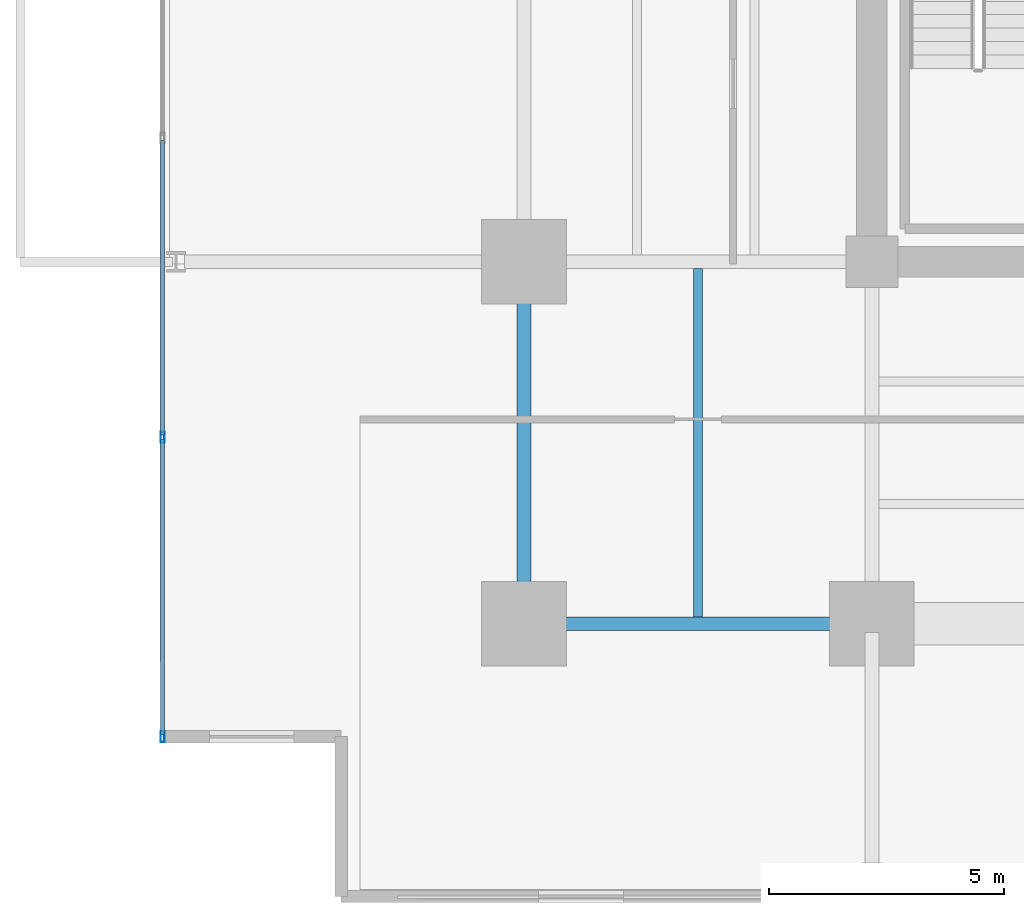
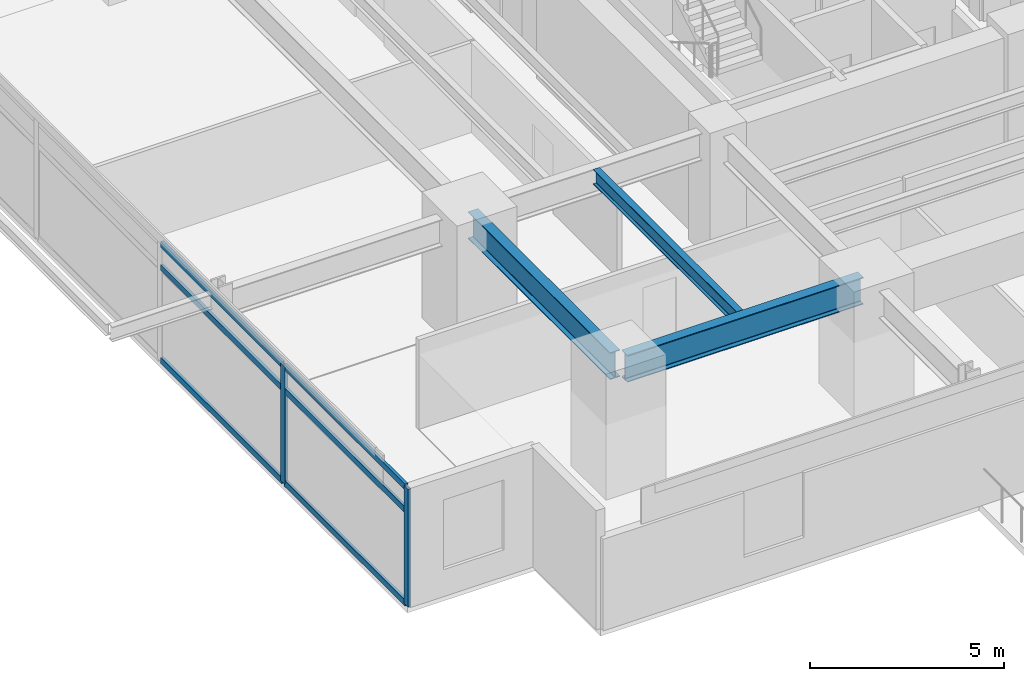
# One storey, part 2 of 22: 8 members, 3 beams, 1 element without a shape of its own.
"""IFC4 building model written with IfcOpenShell, lengths in metres."""

from ifc_helpers import new_model, si_unit, direction, frame, origin, origin_2d, place, context, subcontext, project, spatial, hollow_rectangle, i_section, extrude, material, material_profile, profile_set, type_object, element, aggregate, save


model = new_model("IFC4")

# Units and contexts
model_context = context("Model", 3, precision=1e-05, world=origin(), true_north=direction((0.0, 1.0)))
body_context = subcontext(model_context, "Body", "Model", "MODEL_VIEW")
ifc_project = project(units=[si_unit("LENGTHUNIT", "METRE"), si_unit("AREAUNIT", "SQUARE_METRE"), si_unit("VOLUMEUNIT", "CUBIC_METRE"), si_unit("PLANEANGLEUNIT", "RADIAN"), si_unit("MASSUNIT", "GRAM", prefix="KILO")], contexts=[model_context])

# Site, building, storey
site_placement = place(None, origin())
site = spatial("IfcSite", under=ifc_project, at=site_placement, CompositionType="ELEMENT")
building_placement = place(site_placement, origin())
building = spatial("IfcBuilding", under=site, at=building_placement, Name="Kovane Verandah Tower", CompositionType="ELEMENT")
storey_placement = place(building_placement, frame((0.0, 0.0, 71.60009765625)))
storey = spatial("IfcBuildingStorey", under=building, at=storey_placement, Name="L16", CompositionType="ELEMENT", Elevation=71.60009765625)

# Beams
ifc_material_1 = material(Name="Steel S355", Category="steel")
ifc_material_profile_1 = material_profile(ifc_material_1, i_section(OverallWidth=0.293701171875, OverallDepth=0.850830078125, WebThickness=0.01611328125, FlangeThickness=0.02685546875, FilletRadius=0.017822265625, at=origin_2d()), Name="UB838x292x226")
ifc_profile_set_1 = profile_set([ifc_material_profile_1], Name="Steel S355")
beam_type_1 = type_object("IfcBeamType", Name="BM-UB838x226", PredefinedType="BEAM", material=ifc_profile_set_1)
beam_1_placement = place(storey_placement, frame((21.780029296875, 10.800048828125, 3.33447265625), z_axis=(1.0, 0.0, 0.0), x_axis=(0.0, 1.0, 0.0)))
element("IfcBeam", 1, at=beam_1_placement, inside=storey, type_object=beam_type_1, Name="L16 Primary Tower Girder G-RS1", PredefinedType="BEAM", context=body_context, shape_type="SweptSolid", body=[
    extrude(i_section(OverallWidth=0.293701171875, OverallDepth=0.850830078125, WebThickness=0.01611328125, FlangeThickness=0.02685546875, FilletRadius=0.017822265625, at=origin_2d()), origin(), (0.0, 0.0, 1.0), 7.0400390625),
])
beam_2_placement = place(storey_placement, frame((21.60009765625, 10.97998046875, 3.33447265625), z_axis=(0.0, 1.0, 0.0), x_axis=(-1.0, 0.0, 0.0)))
element("IfcBeam", 2, at=beam_2_placement, inside=storey, type_object=beam_type_1, Name="L16 Primary Tower Girder G-RW1", PredefinedType="BEAM", context=body_context, shape_type="SweptSolid", body=[
    extrude(i_section(OverallWidth=0.293701171875, OverallDepth=0.850830078125, WebThickness=0.01611328125, FlangeThickness=0.02685546875, FilletRadius=0.017822265625, at=origin_2d()), origin(), (0.0, 0.0, 1.0), 7.340087890625),
])

# Curtain wall, members
ifc_material_2 = material(Name="Champagne Anodised Aluminium Frame with Low-E Clear Laminated Glass", Category="aluminium")
curtain_wall_type = type_object("IfcCurtainWallType", Name="CW-SYS-02-LOW", PredefinedType="NOTDEFINED", material=ifc_material_2)
curtain_wall_placement = place(storey_placement, origin())
curtain_wall = element("IfcCurtainWall", 3, at=curtain_wall_placement, inside=storey, type_object=curtain_wall_type, Name="L16 W Unitised Curtain Wall", PredefinedType="NOTDEFINED")
ifc_material_3 = material(Name="Champagne Anodised Aluminium 6063-T6", Category="aluminium")
ifc_material_profile_2 = material_profile(ifc_material_3, hollow_rectangle(XDim=0.0849609375, YDim=0.22998046875, WallThickness=0.00390625, at=origin_2d()), Name="AL85x230x4")
ifc_profile_set_2 = profile_set([ifc_material_profile_2], Name="Champagne Anodised Aluminium 6063-T6")
member_type_1 = type_object("IfcMemberType", Name="CW-MUL-85x230", PredefinedType="MULLION", material=ifc_profile_set_2)
member_1_placement = place(storey_placement, frame((13.91357421875, 14.766357421875, 0.02001953125), z_axis=(0.0, 0.0, 1.0), x_axis=(-1.0, 0.0, 0.0)))
member_1 = element("IfcMember", 4, at=member_1_placement, type_object=member_type_1, Name="L16 W Unitised Curtain Wall Mullion 6", PredefinedType="MULLION", context=body_context, shape_type="SweptSolid", body=[
    extrude(hollow_rectangle(XDim=0.0849609375, YDim=0.22998046875, WallThickness=0.00390625, at=origin_2d()), origin(), (0.0, 0.0, 1.0), 3.719970703125),
])
member_2_placement = place(storey_placement, frame((13.91357421875, 8.3994140625, 0.02001953125), z_axis=(0.0, 0.0, 1.0), x_axis=(-1.0, 0.0, 0.0)))
member_2 = element("IfcMember", 5, at=member_2_placement, type_object=member_type_1, Name="L16 W Unitised Curtain Wall Mullion 7", PredefinedType="MULLION", context=body_context, shape_type="SweptSolid", body=[
    extrude(hollow_rectangle(XDim=0.0849609375, YDim=0.22998046875, WallThickness=0.00390625, at=origin_2d()), origin(), (0.0, 0.0, 1.0), 3.719970703125),
])
ifc_material_profile_3 = material_profile(ifc_material_3, hollow_rectangle(XDim=0.0849609375, YDim=0.18994140625, WallThickness=0.00390625, at=origin_2d()), Name="AL85x190x4")
ifc_profile_set_3 = profile_set([ifc_material_profile_3], Name="Champagne Anodised Aluminium 6063-T6")
member_type_2 = type_object("IfcMemberType", Name="CW-TRN-85x190", PredefinedType="USERDEFINED", material=ifc_profile_set_3)
member_3_placement = place(storey_placement, frame((13.91357421875, 21.083251953125, 0.0498046875), z_axis=(0.0, -1.0, 0.0), x_axis=(1.0, 0.0, 0.0)))
member_3 = element("IfcMember", 6, at=member_3_placement, type_object=member_type_2, Name="L16 W Unitised Curtain Wall Transom TB Bay 5", ObjectType="TRANSOM", PredefinedType="USERDEFINED", context=body_context, shape_type="SweptSolid", body=[
    extrude(hollow_rectangle(XDim=0.0849609375, YDim=0.18994140625, WallThickness=0.00390625, at=origin_2d()), origin(), (0.0, 0.0, 1.0), 6.266845703125),
])
member_4_placement = place(storey_placement, frame((13.91357421875, 21.083251953125, 2.97998046875), z_axis=(0.0, -1.0, 0.0), x_axis=(1.0, 0.0, 0.0)))
member_4 = element("IfcMember", 7, at=member_4_placement, type_object=member_type_2, Name="L16 W Unitised Curtain Wall Transom TM Bay 5", ObjectType="TRANSOM", PredefinedType="USERDEFINED", context=body_context, shape_type="SweptSolid", body=[
    extrude(hollow_rectangle(XDim=0.0849609375, YDim=0.18994140625, WallThickness=0.00390625, at=origin_2d()), origin(), (0.0, 0.0, 1.0), 6.266845703125),
])
member_5_placement = place(storey_placement, frame((13.91357421875, 21.083251953125, 3.7099609375), z_axis=(0.0, -1.0, 0.0), x_axis=(1.0, 0.0, 0.0)))
member_5 = element("IfcMember", 8, at=member_5_placement, type_object=member_type_2, Name="L16 W Unitised Curtain Wall Transom TT Bay 5", ObjectType="TRANSOM", PredefinedType="USERDEFINED", context=body_context, shape_type="SweptSolid", body=[
    extrude(hollow_rectangle(XDim=0.0849609375, YDim=0.18994140625, WallThickness=0.00390625, at=origin_2d()), origin(), (0.0, 0.0, 1.0), 6.266845703125),
])
member_6_placement = place(storey_placement, frame((13.91357421875, 14.71630859375, 0.0498046875), z_axis=(0.0, -1.0, 0.0), x_axis=(1.0, 0.0, 0.0)))
member_6 = element("IfcMember", 9, at=member_6_placement, type_object=member_type_2, Name="L16 W Unitised Curtain Wall Transom TB Bay 6", ObjectType="TRANSOM", PredefinedType="USERDEFINED", context=body_context, shape_type="SweptSolid", body=[
    extrude(hollow_rectangle(XDim=0.0849609375, YDim=0.18994140625, WallThickness=0.00390625, at=origin_2d()), origin(), (0.0, 0.0, 1.0), 6.266845703125),
])
member_7_placement = place(storey_placement, frame((13.91357421875, 14.71630859375, 2.97998046875), z_axis=(0.0, -1.0, 0.0), x_axis=(1.0, 0.0, 0.0)))
member_7 = element("IfcMember", 10, at=member_7_placement, type_object=member_type_2, Name="L16 W Unitised Curtain Wall Transom TM Bay 6", ObjectType="TRANSOM", PredefinedType="USERDEFINED", context=body_context, shape_type="SweptSolid", body=[
    extrude(hollow_rectangle(XDim=0.0849609375, YDim=0.18994140625, WallThickness=0.00390625, at=origin_2d()), origin(), (0.0, 0.0, 1.0), 6.266845703125),
])
member_8_placement = place(storey_placement, frame((13.91357421875, 14.71630859375, 3.7099609375), z_axis=(0.0, -1.0, 0.0), x_axis=(1.0, 0.0, 0.0)))
member_8 = element("IfcMember", 11, at=member_8_placement, type_object=member_type_2, Name="L16 W Unitised Curtain Wall Transom TT Bay 6", ObjectType="TRANSOM", PredefinedType="USERDEFINED", context=body_context, shape_type="SweptSolid", body=[
    extrude(hollow_rectangle(XDim=0.0849609375, YDim=0.18994140625, WallThickness=0.00390625, at=origin_2d()), origin(), (0.0, 0.0, 1.0), 6.266845703125),
])
aggregate(curtain_wall, [member_1, member_2, member_3, member_4, member_5, member_6, member_7, member_8])

# Beam
ifc_material_profile_4 = material_profile(ifc_material_1, i_section(OverallWidth=0.19287109375, OverallDepth=0.46728515625, WebThickness=0.011474609375, FlangeThickness=0.01953125, FilletRadius=0.01025390625, at=origin_2d()), Name="UB457x191x98")
ifc_profile_set_4 = profile_set([ifc_material_profile_4], Name="Steel S355")
beam_type_2 = type_object("IfcBeamType", Name="JST-UB457x98", PredefinedType="JOIST", material=ifc_profile_set_4)
beam_3_placement = place(storey_placement, frame((25.300048828125, 10.94482421875, 3.5263671875), z_axis=(0.0, 1.0, 0.0), x_axis=(-1.0, 0.0, 0.0)))
element("IfcBeam", 12, at=beam_3_placement, inside=storey, type_object=beam_type_2, Name="L16 Secondary Composite Joist J-SW1", PredefinedType="JOIST", context=body_context, shape_type="SweptSolid", body=[
    extrude(i_section(OverallWidth=0.19287109375, OverallDepth=0.46728515625, WebThickness=0.011474609375, FlangeThickness=0.01953125, FilletRadius=0.01025390625, at=origin_2d()), origin(), (0.0, 0.0, 1.0), 7.41015625),
])

save(model, "model.ifc")
